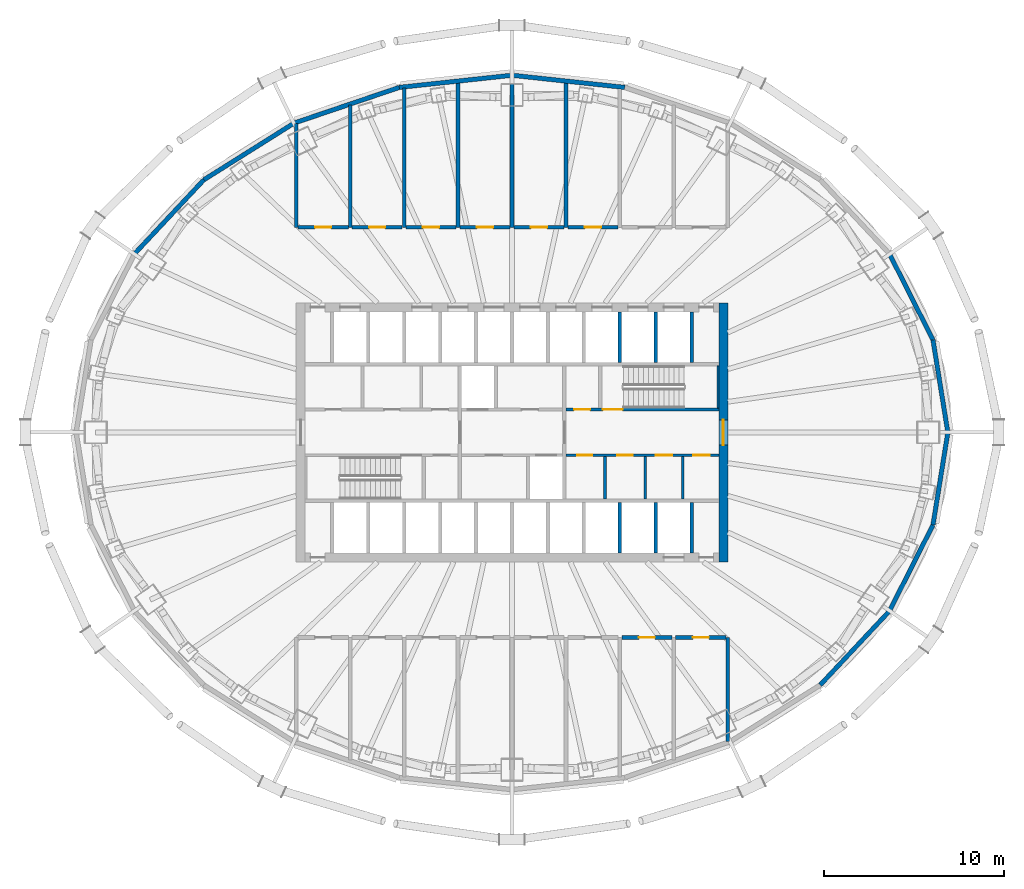
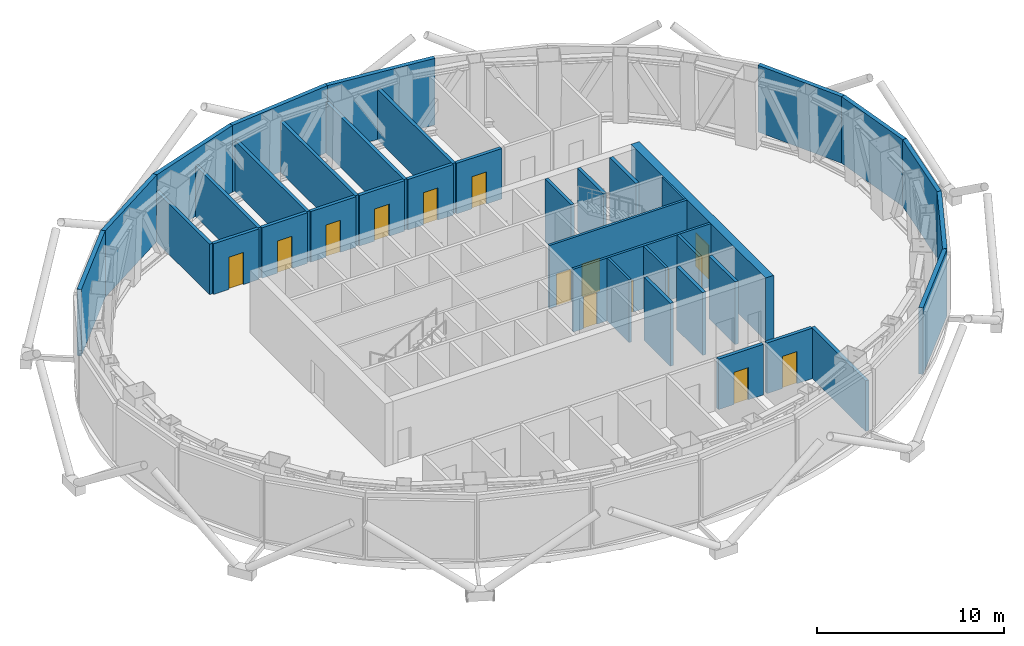
# One storey, part 7 of 16: 38 walls, 15 doors, 15 openings.
"""IFC4 building model written with IfcOpenShell, lengths in metres."""

from ifc_helpers import new_model, si_unit, direction, frame, frame_2d, origin, place, context, subcontext, project, spatial, rectangle, extrude, material, layer, layer_set, type_object, element, fill, save


model = new_model("IFC4")

# Units and contexts
model_context = context("Model", 3, precision=1e-05, world=origin(), true_north=direction((0.0, 1.0)))
body_context = subcontext(model_context, "Body", "Model", "MODEL_VIEW")
ifc_project = project(units=[si_unit("LENGTHUNIT", "METRE"), si_unit("AREAUNIT", "SQUARE_METRE"), si_unit("VOLUMEUNIT", "CUBIC_METRE"), si_unit("PLANEANGLEUNIT", "RADIAN"), si_unit("MASSUNIT", "GRAM", prefix="KILO")], contexts=[model_context])

# Site, building, storey
site_placement = place(None, origin())
site = spatial("IfcSite", under=ifc_project, at=site_placement, CompositionType="ELEMENT")
building_placement = place(site_placement, origin())
building = spatial("IfcBuilding", under=site, at=building_placement, Name="Siaravel Broadcast Tower", CompositionType="ELEMENT")
storey_placement = place(building_placement, frame((0.0, 0.0, 152.60009765625)))
storey = spatial("IfcBuildingStorey", under=building, at=storey_placement, Name="L36", CompositionType="ELEMENT", Elevation=152.60009765625)

# Walls
ifc_material_1 = material(Name="Concrete blockwork", Category="masonry")
ifc_layer_1 = layer(ifc_material_1, 0.14990234375)
ifc_layer_set_1 = layer_set([ifc_layer_1], Name="Concrete blockwork")
wall_type_1 = type_object("IfcWallType", Name="Core partition 150", PredefinedType="PARTITIONING", material=ifc_layer_set_1)
for number, where, z_axis, x_axis, name in (
    (1, (5.16796875, -3.699951171875, 0.0), (0.0, 0.0, 1.0), (0.0, 1.0, 0.0), "L36 core partition PSE0"),
    (2, (7.410888671875, -3.699951171875, 0.0), (0.0, 0.0, 1.0), (0.0, 1.0, 0.0), "L36 core partition PSE1"),
    (3, (9.492919921875, -3.699951171875, 0.0), (0.0, 0.0, 1.0), (0.0, 1.0, 0.0), "L36 core partition PSE2"),
):
    element("IfcWall", number, at=place(storey_placement, frame(where, z_axis=z_axis, x_axis=x_axis)), inside=storey, type_object=wall_type_1, Name=name, PredefinedType="PARTITIONING", context=body_context, shape_type="SweptSolid", body=[
        extrude(rectangle(XDim=2.349853515625, YDim=0.14990234375, at=frame_2d((1.1748046875, 0.0))), origin(), (0.0, 0.0, 1.0), 4.099853515625),
    ])

# Wall, opening, door
ifc_material_2 = material(Name="Concrete C60/75", Category="concrete")
ifc_layer_2 = layer(ifc_material_2, 0.5)
ifc_layer_set_2 = layer_set([ifc_layer_2], Name="Concrete C60/75")
wall_type_2 = type_object("IfcWallType", Name="Core wall 500", PredefinedType="SHEAR", material=ifc_layer_set_2)
wall_1_placement = place(storey_placement, frame((11.75, -7.199951171875, 0.0), z_axis=(0.0, 0.0, 1.0), x_axis=(0.0, 1.0, 0.0)))
wall_1 = element("IfcWall", 4, at=wall_1_placement, inside=storey, type_object=wall_type_2, Name="L36 core wall OE", PredefinedType="SHEAR", context=body_context, shape_type="SweptSolid", body=[
    extrude(rectangle(XDim=14.39990234375, YDim=0.5, at=frame_2d((7.199951171875, 0.0))), origin(), (0.0, 0.0, 1.0), 4.099853515625),
])
opening_1_placement = place(wall_1_placement, frame((6.5, 0.0, 0.0)))
opening_1 = element("IfcOpeningElement", 5, at=opening_1_placement, cuts=wall_1, Name="Opening L36-DX-E", PredefinedType="OPENING", context=body_context, shape_type="SweptSolid", body=[
    extrude(rectangle(XDim=1.39990234375, YDim=2.199951171875, at=frame_2d((0.699951171875, 1.10009765625))), frame((0.0, 0.260009765625, 0.0), z_axis=(0.0, -1.0, 0.0), x_axis=(1.0, 0.0, 0.0)), (0.0, 0.0, 1.0), 0.52001953125),
])
ifc_material_3 = material(Name="Steel", Category="steel")
door_type_1 = type_object("IfcDoorType", Name="Core exit door 1400", OperationType="DOUBLE_DOOR_SINGLE_SWING", PredefinedType="DOOR", material=ifc_material_3)
door_1_placement = place(opening_1_placement, origin())
door_1 = element("IfcDoor", 6, at=door_1_placement, inside=storey, type_object=door_type_1, Name="L36 door DX-E", OperationType="DOUBLE_DOOR_SINGLE_SWING", OverallHeight=2.199951171875, OverallWidth=1.39990234375, PredefinedType="DOOR", context=body_context, shape_type="SweptSolid", body=[
    extrude(rectangle(XDim=1.39990234375, YDim=2.199951171875, at=frame_2d((0.699951171875, 1.10009765625))), frame((0.0, 0.02490234375, 0.0), z_axis=(0.0, -1.0, 0.0), x_axis=(1.0, 0.0, 0.0)), (0.0, 0.0, 1.0), 0.050048828125),
])
fill(opening_1, door_1)

# Wall, openings, doors
ifc_material_4 = material(Name="Gypsum board partition", Category="gypsum")
ifc_layer_3 = layer(ifc_material_4, 0.14990234375)
ifc_layer_set_3 = layer_set([ifc_layer_3], Name="Gypsum board partition")
wall_type_3 = type_object("IfcWallType", Name="Corridor wall 150", PredefinedType="PARTITIONING", material=ifc_layer_set_3)
wall_2_placement = place(storey_placement, frame((3.0, -1.27490234375, 0.0), z_axis=(0.0, 0.0, 1.0), x_axis=(1.0, 0.0, 0.0)))
wall_2 = element("IfcWall", 7, at=wall_2_placement, inside=storey, type_object=wall_type_3, Name="L36 core partition CSE", PredefinedType="PARTITIONING", context=body_context, shape_type="SweptSolid", body=[
    extrude(rectangle(XDim=8.5, YDim=0.14990234375, at=frame_2d((4.25, 0.0))), origin(), (0.0, 0.0, 1.0), 4.099853515625),
])
opening_2_placement = place(wall_2_placement, frame((0.62158203125, 0.0, 0.0)))
opening_2 = element("IfcOpeningElement", 8, at=opening_2_placement, cuts=wall_2, Name="Opening L36-DSE0", PredefinedType="OPENING", context=body_context, shape_type="SweptSolid", body=[
    extrude(rectangle(XDim=0.85009765625, YDim=2.10009765625, at=frame_2d((0.425048828125, 1.050048828125))), frame((0.0, 0.0849609375, 0.0), z_axis=(0.0, -1.0, 0.0), x_axis=(1.0, 0.0, 0.0)), (0.0, 0.0, 1.0), 0.169921875),
])
opening_3_placement = place(wall_2_placement, frame((2.864501953125, 0.0, 0.0)))
opening_3 = element("IfcOpeningElement", 9, at=opening_3_placement, cuts=wall_2, Name="Opening L36-DSE1", PredefinedType="OPENING", context=body_context, shape_type="SweptSolid", body=[
    extrude(rectangle(XDim=0.85009765625, YDim=2.10009765625, at=frame_2d((0.425048828125, 1.050048828125))), frame((0.0, 0.0849609375, 0.0), z_axis=(0.0, -1.0, 0.0), x_axis=(1.0, 0.0, 0.0)), (0.0, 0.0, 1.0), 0.169921875),
])
opening_4_placement = place(wall_2_placement, frame((5.001953125, 0.0, 0.0)))
opening_4 = element("IfcOpeningElement", 10, at=opening_4_placement, cuts=wall_2, Name="Opening L36-DSE2", PredefinedType="OPENING", context=body_context, shape_type="SweptSolid", body=[
    extrude(rectangle(XDim=0.89990234375, YDim=2.10009765625, at=frame_2d((0.449951171875, 1.050048828125))), frame((0.0, 0.0849609375, 0.0), z_axis=(0.0, -1.0, 0.0), x_axis=(1.0, 0.0, 0.0)), (0.0, 0.0, 1.0), 0.169921875),
])
opening_5_placement = place(wall_2_placement, frame((7.083984375, 0.0, 0.0)))
opening_5 = element("IfcOpeningElement", 11, at=opening_5_placement, cuts=wall_2, Name="Opening L36-DSE3", PredefinedType="OPENING", context=body_context, shape_type="SweptSolid", body=[
    extrude(rectangle(XDim=0.89990234375, YDim=2.10009765625, at=frame_2d((0.449951171875, 1.050048828125))), frame((0.0, 0.0849609375, 0.0), z_axis=(0.0, -1.0, 0.0), x_axis=(1.0, 0.0, 0.0)), (0.0, 0.0, 1.0), 0.169921875),
])
ifc_material_5 = material(Name="Timber veneer", Category="wood")
door_type_2 = type_object("IfcDoorType", Name="Core room door 900", OperationType="SINGLE_SWING_LEFT", PredefinedType="DOOR", material=ifc_material_5)
door_2_placement = place(opening_4_placement, origin())
door_2 = element("IfcDoor", 12, at=door_2_placement, inside=storey, type_object=door_type_2, Name="L36 door DSE2", OperationType="SINGLE_SWING_LEFT", OverallHeight=2.10009765625, OverallWidth=0.89990234375, PredefinedType="DOOR", context=body_context, shape_type="SweptSolid", body=[
    extrude(rectangle(XDim=0.89990234375, YDim=2.10009765625, at=frame_2d((0.449951171875, 1.050048828125))), frame((0.0, 0.02490234375, 0.0), z_axis=(0.0, -1.0, 0.0), x_axis=(1.0, 0.0, 0.0)), (0.0, 0.0, 1.0), 0.050048828125),
])
fill(opening_4, door_2)
door_3_placement = place(opening_5_placement, origin())
door_3 = element("IfcDoor", 13, at=door_3_placement, inside=storey, type_object=door_type_2, Name="L36 door DSE3", OperationType="SINGLE_SWING_LEFT", OverallHeight=2.10009765625, OverallWidth=0.89990234375, PredefinedType="DOOR", context=body_context, shape_type="SweptSolid", body=[
    extrude(rectangle(XDim=0.89990234375, YDim=2.10009765625, at=frame_2d((0.449951171875, 1.050048828125))), frame((0.0, 0.02490234375, 0.0), z_axis=(0.0, -1.0, 0.0), x_axis=(1.0, 0.0, 0.0)), (0.0, 0.0, 1.0), 0.050048828125),
])
fill(opening_5, door_3)
door_type_3 = type_object("IfcDoorType", Name="Core toilet door 850", OperationType="SINGLE_SWING_LEFT", PredefinedType="DOOR", material=ifc_material_5)
door_4_placement = place(opening_2_placement, origin())
door_4 = element("IfcDoor", 14, at=door_4_placement, inside=storey, type_object=door_type_3, Name="L36 door DSE0", OperationType="SINGLE_SWING_LEFT", OverallHeight=2.10009765625, OverallWidth=0.85009765625, PredefinedType="DOOR", context=body_context, shape_type="SweptSolid", body=[
    extrude(rectangle(XDim=0.85009765625, YDim=2.10009765625, at=frame_2d((0.425048828125, 1.050048828125))), frame((0.0, 0.02490234375, 0.0), z_axis=(0.0, -1.0, 0.0), x_axis=(1.0, 0.0, 0.0)), (0.0, 0.0, 1.0), 0.050048828125),
])
fill(opening_2, door_4)
door_5_placement = place(opening_3_placement, origin())
door_5 = element("IfcDoor", 15, at=door_5_placement, inside=storey, type_object=door_type_3, Name="L36 door DSE1", OperationType="SINGLE_SWING_LEFT", OverallHeight=2.10009765625, OverallWidth=0.85009765625, PredefinedType="DOOR", context=body_context, shape_type="SweptSolid", body=[
    extrude(rectangle(XDim=0.85009765625, YDim=2.10009765625, at=frame_2d((0.425048828125, 1.050048828125))), frame((0.0, 0.02490234375, 0.0), z_axis=(0.0, -1.0, 0.0), x_axis=(1.0, 0.0, 0.0)), (0.0, 0.0, 1.0), 0.050048828125),
])
fill(opening_3, door_5)

# Walls
ifc_layer_4 = layer(ifc_material_1, 0.199951171875)
ifc_layer_set_4 = layer_set([ifc_layer_4], Name="Concrete blockwork")
wall_type_4 = type_object("IfcWallType", Name="Plant room wall 200", PredefinedType="PARTITIONING", material=ifc_layer_set_4)
wall_3_placement = place(storey_placement, frame((0.0, 11.39990234375, 0.0), z_axis=(0.0, 0.0, 1.0), x_axis=(0.0, 1.0, 0.0)))
element("IfcWall", 16, at=wall_3_placement, inside=storey, type_object=wall_type_4, Name="L36 partition 2", PredefinedType="PARTITIONING", context=body_context, shape_type="SweptSolid", body=[
    extrude(rectangle(XDim=8.408447265625, YDim=0.199951171875, at=frame_2d((4.2041015625, 0.0))), origin(), (0.0, 0.0, 1.0), 3.2998046875),
])
for number, where, z_axis, x_axis, name in (
    (17, (-3.0, 11.39990234375, 0.0), (0.0, 0.0, 1.0), (0.0, 1.0, 0.0), "L36 partition 4"),
    (18, (3.0, 11.39990234375, 0.0), (0.0, 0.0, 1.0), (0.0, 1.0, 0.0), "L36 partition 6"),
):
    element("IfcWall", number, at=place(storey_placement, frame(where, z_axis=z_axis, x_axis=x_axis)), inside=storey, type_object=wall_type_4, Name=name, PredefinedType="PARTITIONING", context=body_context, shape_type="SweptSolid", body=[
        extrude(rectangle(XDim=8.0849609375, YDim=0.199951171875, at=frame_2d((4.04248046875, 0.0))), origin(), (0.0, 0.0, 1.0), 3.2998046875),
    ])
wall_4_placement = place(storey_placement, frame((-6.0, 11.39990234375, 0.0), z_axis=(0.0, 0.0, 1.0), x_axis=(0.0, 1.0, 0.0)))
element("IfcWall", 19, at=wall_4_placement, inside=storey, type_object=wall_type_4, Name="L36 partition 8", PredefinedType="PARTITIONING", context=body_context, shape_type="SweptSolid", body=[
    extrude(rectangle(XDim=7.761474609375, YDim=0.199951171875, at=frame_2d((3.880859375, 0.0))), origin(), (0.0, 0.0, 1.0), 3.2998046875),
])
wall_5_placement = place(storey_placement, frame((-9.0, 11.39990234375, 0.0), z_axis=(0.0, 0.0, 1.0), x_axis=(0.0, 1.0, 0.0)))
element("IfcWall", 20, at=wall_5_placement, inside=storey, type_object=wall_type_4, Name="L36 partition 12", PredefinedType="PARTITIONING", context=body_context, shape_type="SweptSolid", body=[
    extrude(rectangle(XDim=6.805908203125, YDim=0.199951171875, at=frame_2d((3.40283203125, 0.0))), origin(), (0.0, 0.0, 1.0), 3.2998046875),
])
for number, where, z_axis, x_axis, name in (
    (21, (-12.0, 17.18798828125, 0.0), (0.0, 0.0, 1.0), (0.0, -1.0, 0.0), "L36 partition 16"),
    (22, (12.0, -17.18798828125, 0.0), (0.0, 0.0, 1.0), (0.0, 1.0, 0.0), "L36 partition 17"),
):
    element("IfcWall", number, at=place(storey_placement, frame(where, z_axis=z_axis, x_axis=x_axis)), inside=storey, type_object=wall_type_4, Name=name, PredefinedType="PARTITIONING", context=body_context, shape_type="SweptSolid", body=[
        extrude(rectangle(XDim=5.800048828125, YDim=0.199951171875, at=frame_2d((2.89990234375, 0.0))), origin(), (0.0, 0.0, 1.0), 3.2998046875),
    ])

# Wall, opening, door
wall_6_placement = place(storey_placement, frame((-9.10205078125, 11.39990234375, 0.0), z_axis=(0.0, 0.0, 1.0), x_axis=(-1.0, 0.0, 0.0)))
wall_6 = element("IfcWall", 23, at=wall_6_placement, inside=storey, type_object=wall_type_4, Name="L36 partition 21", PredefinedType="PARTITIONING", context=body_context, shape_type="SweptSolid", body=[
    extrude(rectangle(XDim=2.7958984375, YDim=0.199951171875, at=frame_2d((1.39794921875, 0.0))), origin(), (0.0, 0.0, 1.0), 3.2998046875),
])
opening_6_placement = place(wall_6_placement, frame((0.947998046875, 0.0, 0.0)))
opening_6 = element("IfcOpeningElement", 24, at=opening_6_placement, cuts=wall_6, Name="Opening L36-001", PredefinedType="OPENING", context=body_context, shape_type="SweptSolid", body=[
    extrude(rectangle(XDim=0.89990234375, YDim=2.10009765625, at=frame_2d((0.449951171875, 1.050048828125))), frame((0.0, 0.10986328125, 0.0), z_axis=(0.0, -1.0, 0.0), x_axis=(1.0, 0.0, 0.0)), (0.0, 0.0, 1.0), 0.219970703125),
])
door_type_4 = type_object("IfcDoorType", Name="Plant room door 900", OperationType="SINGLE_SWING_LEFT", PredefinedType="DOOR", material=ifc_material_3)
door_6_placement = place(opening_6_placement, origin())
door_6 = element("IfcDoor", 25, at=door_6_placement, inside=storey, type_object=door_type_4, Name="L36 door to Cooling tower plant room", OperationType="SINGLE_SWING_LEFT", OverallHeight=2.10009765625, OverallWidth=0.89990234375, PredefinedType="DOOR", context=body_context, shape_type="SweptSolid", body=[
    extrude(rectangle(XDim=0.89990234375, YDim=2.10009765625, at=frame_2d((0.449951171875, 1.050048828125))), frame((0.0, 0.02490234375, 0.0), z_axis=(0.0, -1.0, 0.0), x_axis=(1.0, 0.0, 0.0)), (0.0, 0.0, 1.0), 0.050048828125),
])
fill(opening_6, door_6)

wall_7_placement = place(storey_placement, frame((-6.10205078125, 11.39990234375, 0.0), z_axis=(0.0, 0.0, 1.0), x_axis=(-1.0, 0.0, 0.0)))
wall_7 = element("IfcWall", 26, at=wall_7_placement, inside=storey, type_object=wall_type_4, Name="L36 partition 23", PredefinedType="PARTITIONING", context=body_context, shape_type="SweptSolid", body=[
    extrude(rectangle(XDim=2.7958984375, YDim=0.199951171875, at=frame_2d((1.39794921875, 0.0))), origin(), (0.0, 0.0, 1.0), 3.2998046875),
])
opening_7_placement = place(wall_7_placement, frame((0.947998046875, 0.0, 0.0)))
opening_7 = element("IfcOpeningElement", 27, at=opening_7_placement, cuts=wall_7, Name="Opening L36-002", PredefinedType="OPENING", context=body_context, shape_type="SweptSolid", body=[
    extrude(rectangle(XDim=0.89990234375, YDim=2.10009765625, at=frame_2d((0.449951171875, 1.050048828125))), frame((0.0, 0.10986328125, 0.0), z_axis=(0.0, -1.0, 0.0), x_axis=(1.0, 0.0, 0.0)), (0.0, 0.0, 1.0), 0.219970703125),
])
door_7_placement = place(opening_7_placement, origin())
door_7 = element("IfcDoor", 28, at=door_7_placement, inside=storey, type_object=door_type_4, Name="L36 door to Boiler plant room", OperationType="SINGLE_SWING_RIGHT", OverallHeight=2.10009765625, OverallWidth=0.89990234375, PredefinedType="DOOR", context=body_context, shape_type="SweptSolid", body=[
    extrude(rectangle(XDim=0.89990234375, YDim=2.10009765625, at=frame_2d((0.449951171875, 1.050048828125))), frame((0.0, 0.02490234375, 0.0), z_axis=(0.0, -1.0, 0.0), x_axis=(1.0, 0.0, 0.0)), (0.0, 0.0, 1.0), 0.050048828125),
])
fill(opening_7, door_7)

wall_8_placement = place(storey_placement, frame((-3.10205078125, 11.39990234375, 0.0), z_axis=(0.0, 0.0, 1.0), x_axis=(-1.0, 0.0, 0.0)))
wall_8 = element("IfcWall", 29, at=wall_8_placement, inside=storey, type_object=wall_type_4, Name="L36 partition 25", PredefinedType="PARTITIONING", context=body_context, shape_type="SweptSolid", body=[
    extrude(rectangle(XDim=2.7958984375, YDim=0.199951171875, at=frame_2d((1.39794921875, 0.0))), origin(), (0.0, 0.0, 1.0), 3.2998046875),
])
opening_8_placement = place(wall_8_placement, frame((0.947998046875, 0.0, 0.0)))
opening_8 = element("IfcOpeningElement", 30, at=opening_8_placement, cuts=wall_8, Name="Opening L36-003", PredefinedType="OPENING", context=body_context, shape_type="SweptSolid", body=[
    extrude(rectangle(XDim=0.89990234375, YDim=2.10009765625, at=frame_2d((0.449951171875, 1.050048828125))), frame((0.0, 0.10986328125, 0.0), z_axis=(0.0, -1.0, 0.0), x_axis=(1.0, 0.0, 0.0)), (0.0, 0.0, 1.0), 0.219970703125),
])
door_8_placement = place(opening_8_placement, origin())
door_8 = element("IfcDoor", 31, at=door_8_placement, inside=storey, type_object=door_type_4, Name="L36 door to Mechanical plant room", OperationType="SINGLE_SWING_LEFT", OverallHeight=2.10009765625, OverallWidth=0.89990234375, PredefinedType="DOOR", context=body_context, shape_type="SweptSolid", body=[
    extrude(rectangle(XDim=0.89990234375, YDim=2.10009765625, at=frame_2d((0.449951171875, 1.050048828125))), frame((0.0, 0.02490234375, 0.0), z_axis=(0.0, -1.0, 0.0), x_axis=(1.0, 0.0, 0.0)), (0.0, 0.0, 1.0), 0.050048828125),
])
fill(opening_8, door_8)

wall_9_placement = place(storey_placement, frame((-0.10205078125, 11.39990234375, 0.0), z_axis=(0.0, 0.0, 1.0), x_axis=(-1.0, 0.0, 0.0)))
wall_9 = element("IfcWall", 32, at=wall_9_placement, inside=storey, type_object=wall_type_4, Name="L36 partition 27", PredefinedType="PARTITIONING", context=body_context, shape_type="SweptSolid", body=[
    extrude(rectangle(XDim=2.7958984375, YDim=0.199951171875, at=frame_2d((1.39794921875, 0.0))), origin(), (0.0, 0.0, 1.0), 3.2998046875),
])
opening_9_placement = place(wall_9_placement, frame((0.947998046875, 0.0, 0.0)))
opening_9 = element("IfcOpeningElement", 33, at=opening_9_placement, cuts=wall_9, Name="Opening L36-004", PredefinedType="OPENING", context=body_context, shape_type="SweptSolid", body=[
    extrude(rectangle(XDim=0.89990234375, YDim=2.10009765625, at=frame_2d((0.449951171875, 1.050048828125))), frame((0.0, 0.10986328125, 0.0), z_axis=(0.0, -1.0, 0.0), x_axis=(1.0, 0.0, 0.0)), (0.0, 0.0, 1.0), 0.219970703125),
])
door_9_placement = place(opening_9_placement, origin())
door_9 = element("IfcDoor", 34, at=door_9_placement, inside=storey, type_object=door_type_4, Name="L36 door to Switch room", OperationType="SINGLE_SWING_RIGHT", OverallHeight=2.10009765625, OverallWidth=0.89990234375, PredefinedType="DOOR", context=body_context, shape_type="SweptSolid", body=[
    extrude(rectangle(XDim=0.89990234375, YDim=2.10009765625, at=frame_2d((0.449951171875, 1.050048828125))), frame((0.0, 0.02490234375, 0.0), z_axis=(0.0, -1.0, 0.0), x_axis=(1.0, 0.0, 0.0)), (0.0, 0.0, 1.0), 0.050048828125),
])
fill(opening_9, door_9)

wall_10_placement = place(storey_placement, frame((2.89794921875, 11.39990234375, 0.0), z_axis=(0.0, 0.0, 1.0), x_axis=(-1.0, 0.0, 0.0)))
wall_10 = element("IfcWall", 35, at=wall_10_placement, inside=storey, type_object=wall_type_4, Name="L36 partition 29", PredefinedType="PARTITIONING", context=body_context, shape_type="SweptSolid", body=[
    extrude(rectangle(XDim=2.7958984375, YDim=0.199951171875, at=frame_2d((1.39794921875, 0.0))), origin(), (0.0, 0.0, 1.0), 3.2998046875),
])
opening_10_placement = place(wall_10_placement, frame((0.947998046875, 0.0, 0.0)))
opening_10 = element("IfcOpeningElement", 36, at=opening_10_placement, cuts=wall_10, Name="Opening L36-005", PredefinedType="OPENING", context=body_context, shape_type="SweptSolid", body=[
    extrude(rectangle(XDim=0.89990234375, YDim=2.10009765625, at=frame_2d((0.449951171875, 1.050048828125))), frame((0.0, 0.10986328125, 0.0), z_axis=(0.0, -1.0, 0.0), x_axis=(1.0, 0.0, 0.0)), (0.0, 0.0, 1.0), 0.219970703125),
])
door_10_placement = place(opening_10_placement, origin())
door_10 = element("IfcDoor", 37, at=door_10_placement, inside=storey, type_object=door_type_4, Name="L36 door to Transformer room", OperationType="SINGLE_SWING_LEFT", OverallHeight=2.10009765625, OverallWidth=0.89990234375, PredefinedType="DOOR", context=body_context, shape_type="SweptSolid", body=[
    extrude(rectangle(XDim=0.89990234375, YDim=2.10009765625, at=frame_2d((0.449951171875, 1.050048828125))), frame((0.0, 0.02490234375, 0.0), z_axis=(0.0, -1.0, 0.0), x_axis=(1.0, 0.0, 0.0)), (0.0, 0.0, 1.0), 0.050048828125),
])
fill(opening_10, door_10)

wall_11_placement = place(storey_placement, frame((6.10205078125, -11.39990234375, 0.0), z_axis=(0.0, 0.0, 1.0), x_axis=(1.0, 0.0, 0.0)))
wall_11 = element("IfcWall", 38, at=wall_11_placement, inside=storey, type_object=wall_type_4, Name="L36 partition 30", PredefinedType="PARTITIONING", context=body_context, shape_type="SweptSolid", body=[
    extrude(rectangle(XDim=2.7958984375, YDim=0.199951171875, at=frame_2d((1.39794921875, 0.0))), origin(), (0.0, 0.0, 1.0), 3.2998046875),
])
opening_11_placement = place(wall_11_placement, frame((0.947998046875, 0.0, 0.0)))
opening_11 = element("IfcOpeningElement", 39, at=opening_11_placement, cuts=wall_11, Name="Opening L36-015", PredefinedType="OPENING", context=body_context, shape_type="SweptSolid", body=[
    extrude(rectangle(XDim=0.89990234375, YDim=2.10009765625, at=frame_2d((0.449951171875, 1.050048828125))), frame((0.0, 0.10986328125, 0.0), z_axis=(0.0, -1.0, 0.0), x_axis=(1.0, 0.0, 0.0)), (0.0, 0.0, 1.0), 0.219970703125),
])
door_11_placement = place(opening_11_placement, origin())
door_11 = element("IfcDoor", 40, at=door_11_placement, inside=storey, type_object=door_type_4, Name="L36 door to Generator plant room", OperationType="SINGLE_SWING_LEFT", OverallHeight=2.10009765625, OverallWidth=0.89990234375, PredefinedType="DOOR", context=body_context, shape_type="SweptSolid", body=[
    extrude(rectangle(XDim=0.89990234375, YDim=2.10009765625, at=frame_2d((0.449951171875, 1.050048828125))), frame((0.0, 0.02490234375, 0.0), z_axis=(0.0, -1.0, 0.0), x_axis=(1.0, 0.0, 0.0)), (0.0, 0.0, 1.0), 0.050048828125),
])
fill(opening_11, door_11)

wall_12_placement = place(storey_placement, frame((5.89794921875, 11.39990234375, 0.0), z_axis=(0.0, 0.0, 1.0), x_axis=(-1.0, 0.0, 0.0)))
wall_12 = element("IfcWall", 41, at=wall_12_placement, inside=storey, type_object=wall_type_4, Name="L36 partition 31", PredefinedType="PARTITIONING", context=body_context, shape_type="SweptSolid", body=[
    extrude(rectangle(XDim=2.7958984375, YDim=0.199951171875, at=frame_2d((1.39794921875, 0.0))), origin(), (0.0, 0.0, 1.0), 3.2998046875),
])
opening_12_placement = place(wall_12_placement, frame((0.947998046875, 0.0, 0.0)))
opening_12 = element("IfcOpeningElement", 42, at=opening_12_placement, cuts=wall_12, Name="Opening L36-006", PredefinedType="OPENING", context=body_context, shape_type="SweptSolid", body=[
    extrude(rectangle(XDim=0.89990234375, YDim=2.10009765625, at=frame_2d((0.449951171875, 1.050048828125))), frame((0.0, 0.10986328125, 0.0), z_axis=(0.0, -1.0, 0.0), x_axis=(1.0, 0.0, 0.0)), (0.0, 0.0, 1.0), 0.219970703125),
])
door_12_placement = place(opening_12_placement, origin())
door_12 = element("IfcDoor", 43, at=door_12_placement, inside=storey, type_object=door_type_4, Name="L36 door to Air handling plant room", OperationType="SINGLE_SWING_RIGHT", OverallHeight=2.10009765625, OverallWidth=0.89990234375, PredefinedType="DOOR", context=body_context, shape_type="SweptSolid", body=[
    extrude(rectangle(XDim=0.89990234375, YDim=2.10009765625, at=frame_2d((0.449951171875, 1.050048828125))), frame((0.0, 0.02490234375, 0.0), z_axis=(0.0, -1.0, 0.0), x_axis=(1.0, 0.0, 0.0)), (0.0, 0.0, 1.0), 0.050048828125),
])
fill(opening_12, door_12)

wall_13_placement = place(storey_placement, frame((9.10205078125, -11.39990234375, 0.0), z_axis=(0.0, 0.0, 1.0), x_axis=(1.0, 0.0, 0.0)))
wall_13 = element("IfcWall", 44, at=wall_13_placement, inside=storey, type_object=wall_type_4, Name="L36 partition 32", PredefinedType="PARTITIONING", context=body_context, shape_type="SweptSolid", body=[
    extrude(rectangle(XDim=2.7958984375, YDim=0.199951171875, at=frame_2d((1.39794921875, 0.0))), origin(), (0.0, 0.0, 1.0), 3.2998046875),
])
opening_13_placement = place(wall_13_placement, frame((0.947998046875, 0.0, 0.0)))
opening_13 = element("IfcOpeningElement", 45, at=opening_13_placement, cuts=wall_13, Name="Opening L36-016", PredefinedType="OPENING", context=body_context, shape_type="SweptSolid", body=[
    extrude(rectangle(XDim=0.89990234375, YDim=2.10009765625, at=frame_2d((0.449951171875, 1.050048828125))), frame((0.0, 0.10986328125, 0.0), z_axis=(0.0, -1.0, 0.0), x_axis=(1.0, 0.0, 0.0)), (0.0, 0.0, 1.0), 0.219970703125),
])
door_13_placement = place(opening_13_placement, origin())
door_13 = element("IfcDoor", 46, at=door_13_placement, inside=storey, type_object=door_type_4, Name="L36 door to Mechanical plant room", OperationType="SINGLE_SWING_RIGHT", OverallHeight=2.10009765625, OverallWidth=0.89990234375, PredefinedType="DOOR", context=body_context, shape_type="SweptSolid", body=[
    extrude(rectangle(XDim=0.89990234375, YDim=2.10009765625, at=frame_2d((0.449951171875, 1.050048828125))), frame((0.0, 0.02490234375, 0.0), z_axis=(0.0, -1.0, 0.0), x_axis=(1.0, 0.0, 0.0)), (0.0, 0.0, 1.0), 0.050048828125),
])
fill(opening_13, door_13)

# Walls
ifc_material_6 = material(Name="Concrete C40/50", Category="concrete")
ifc_layer_5 = layer(ifc_material_6, 0.25)
ifc_layer_set_5 = layer_set([ifc_layer_5], Name="Concrete C40/50")
wall_type_5 = type_object("IfcWallType", Name="Plant storey wall", PredefinedType="STANDARD", material=ifc_layer_set_5)
wall_14_placement = place(storey_placement, frame((24.23291015625, 0.0, 0.0), z_axis=(0.0, 0.0, 1.0), x_axis=(-0.158718078, 0.987323945, 0.0)))
element("IfcWall", 47, at=wall_14_placement, inside=storey, type_object=wall_type_5, Name="L36 plant storey wall 01", PredefinedType="STANDARD", context=body_context, shape_type="SweptSolid", body=[
    extrude(rectangle(XDim=5.208251953125, YDim=0.25, at=frame_2d((2.60400390625, 0.0))), origin(), (0.0, 0.0, 1.0), 4.349853515625),
])
wall_15_placement = place(storey_placement, frame((23.40625, 5.142333984375, 0.0), z_axis=(0.0, 0.0, 1.0), x_axis=(-0.451229303, 0.892408044, 0.0)))
element("IfcWall", 48, at=wall_15_placement, inside=storey, type_object=wall_type_5, Name="L36 plant storey wall 02", PredefinedType="STANDARD", context=body_context, shape_type="SweptSolid", body=[
    extrude(rectangle(XDim=5.368408203125, YDim=0.25, at=frame_2d((2.68408203125, 0.0))), origin(), (0.0, 0.0, 1.0), 4.349853515625),
])
for number, where, z_axis, x_axis, name in (
    (49, (6.269775390625, 19.182373046875, 0.0), (0.0, 0.0, 1.0), (-0.994237309, 0.107201554, 0.0), "L36 plant storey wall 06"),
    (50, (0.0, 19.8583984375, 0.0), (0.0, 0.0, 1.0), (-0.994237309, -0.107201554, 0.0), "L36 plant storey wall 07"),
):
    element("IfcWall", number, at=place(storey_placement, frame(where, z_axis=z_axis, x_axis=x_axis)), inside=storey, type_object=wall_type_5, Name=name, PredefinedType="STANDARD", context=body_context, shape_type="SweptSolid", body=[
        extrude(rectangle(XDim=6.30615234375, YDim=0.25, at=frame_2d((3.153076171875, 0.0))), origin(), (0.0, 0.0, 1.0), 4.349853515625),
    ])
wall_16_placement = place(storey_placement, frame((-6.269775390625, 19.182373046875, 0.0), z_axis=(0.0, 0.0, 1.0), x_axis=(-0.946968166, -0.321327392, 0.0)))
element("IfcWall", 51, at=wall_16_placement, inside=storey, type_object=wall_type_5, Name="L36 plant storey wall 08", PredefinedType="STANDARD", context=body_context, shape_type="SweptSolid", body=[
    extrude(rectangle(XDim=6.170166015625, YDim=0.25, at=frame_2d((3.0849609375, 0.0))), origin(), (0.0, 0.0, 1.0), 4.349853515625),
])
wall_17_placement = place(storey_placement, frame((-12.11279296875, 17.19970703125, 0.0), z_axis=(0.0, 0.0, 1.0), x_axis=(-0.846665178, -0.532125996, 0.0)))
element("IfcWall", 52, at=wall_17_placement, inside=storey, type_object=wall_type_5, Name="L36 plant storey wall 09", PredefinedType="STANDARD", context=body_context, shape_type="SweptSolid", body=[
    extrude(rectangle(XDim=5.927734375, YDim=0.25, at=frame_2d((2.9638671875, 0.0))), origin(), (0.0, 0.0, 1.0), 4.349853515625),
])
for number, where, z_axis, x_axis, name in (
    (53, (-17.131591796875, 14.04541015625, 0.0), (0.0, 0.0, 1.0), (-0.683658596, -0.729801976, 0.0), "L36 plant storey wall 10"),
    (54, (17.131591796875, -14.04541015625, 0.0), (0.0, 0.0, 1.0), (0.683658596, 0.729801976, 0.0), "L36 plant storey wall 22"),
):
    element("IfcWall", number, at=place(storey_placement, frame(where, z_axis=z_axis, x_axis=x_axis)), inside=storey, type_object=wall_type_5, Name=name, PredefinedType="STANDARD", context=body_context, shape_type="SweptSolid", body=[
        extrude(rectangle(XDim=5.634765625, YDim=0.25, at=frame_2d((2.8173828125, 0.0))), origin(), (0.0, 0.0, 1.0), 4.349853515625),
    ])
wall_18_placement = place(storey_placement, frame((20.98388671875, -9.93310546875, 0.0), z_axis=(0.0, 0.0, 1.0), x_axis=(0.451229303, 0.892408044, 0.0)))
element("IfcWall", 55, at=wall_18_placement, inside=storey, type_object=wall_type_5, Name="L36 plant storey wall 23", PredefinedType="STANDARD", context=body_context, shape_type="SweptSolid", body=[
    extrude(rectangle(XDim=5.368408203125, YDim=0.25, at=frame_2d((2.68408203125, 0.0))), origin(), (0.0, 0.0, 1.0), 4.349853515625),
])
wall_19_placement = place(storey_placement, frame((23.40625, -5.142333984375, 0.0), z_axis=(0.0, 0.0, 1.0), x_axis=(0.158718078, 0.987323945, 0.0)))
element("IfcWall", 56, at=wall_19_placement, inside=storey, type_object=wall_type_5, Name="L36 plant storey wall 24", PredefinedType="STANDARD", context=body_context, shape_type="SweptSolid", body=[
    extrude(rectangle(XDim=5.208251953125, YDim=0.25, at=frame_2d((2.60400390625, 0.0))), origin(), (0.0, 0.0, 1.0), 4.349853515625),
])
ifc_layer_6 = layer(ifc_material_2, 0.10009765625)
ifc_layer_set_6 = layer_set([ifc_layer_6], Name="Concrete C60/75")
wall_type_6 = type_object("IfcWallType", Name="Shaft wall 100", PredefinedType="SHEAR", material=ifc_layer_set_6)
wall_20_placement = place(storey_placement, frame((11.449951171875, 1.35009765625, 0.0), z_axis=(0.0, 0.0, 1.0), x_axis=(0.0, 1.0, 0.0)))
element("IfcWall", 57, at=wall_20_placement, inside=storey, type_object=wall_type_6, Name="L36 core wall ST2E", PredefinedType="SHEAR", context=body_context, shape_type="SweptSolid", body=[
    extrude(rectangle(XDim=2.349853515625, YDim=0.10009765625, at=frame_2d((1.1748046875, 0.0))), origin(), (0.0, 0.0, 1.0), 4.099853515625),
])

# Wall, openings, doors
ifc_layer_7 = layer(ifc_material_2, 0.14990234375)
ifc_layer_set_7 = layer_set([ifc_layer_7], Name="Concrete C60/75")
wall_type_7 = type_object("IfcWallType", Name="Shaft wall 150", PredefinedType="SHEAR", material=ifc_layer_set_7)
wall_21_placement = place(storey_placement, frame((3.0, 1.27490234375, 0.0), z_axis=(0.0, 0.0, 1.0), x_axis=(1.0, 0.0, 0.0)))
wall_21 = element("IfcWall", 58, at=wall_21_placement, inside=storey, type_object=wall_type_7, Name="L36 core wall CNE", PredefinedType="SHEAR", context=body_context, shape_type="SweptSolid", body=[
    extrude(rectangle(XDim=8.5, YDim=0.14990234375, at=frame_2d((4.25, 0.0))), origin(), (0.0, 0.0, 1.0), 4.099853515625),
])
opening_14_placement = place(wall_21_placement, frame((2.050048828125, 0.0, 0.0)))
opening_14 = element("IfcOpeningElement", 59, at=opening_14_placement, cuts=wall_21, Name="Opening L36-DS-2", PredefinedType="OPENING", context=body_context, shape_type="SweptSolid", body=[
    extrude(rectangle(XDim=1.10009765625, YDim=2.14990234375, at=frame_2d((0.550048828125, 1.074951171875))), frame((0.0, 0.0849609375, 0.0), z_axis=(0.0, -1.0, 0.0), x_axis=(1.0, 0.0, 0.0)), (0.0, 0.0, 1.0), 0.169921875),
])
opening_15_placement = place(wall_21_placement, frame((0.449951171875, 0.0, 0.0)))
opening_15 = element("IfcOpeningElement", 60, at=opening_15_placement, cuts=wall_21, Name="Opening L36-DNE0", PredefinedType="OPENING", context=body_context, shape_type="SweptSolid", body=[
    extrude(rectangle(XDim=0.89990234375, YDim=2.10009765625, at=frame_2d((0.449951171875, 1.050048828125))), frame((0.0, 0.0849609375, 0.0), z_axis=(0.0, -1.0, 0.0), x_axis=(1.0, 0.0, 0.0)), (0.0, 0.0, 1.0), 0.169921875),
])
door_14_placement = place(opening_15_placement, origin())
door_14 = element("IfcDoor", 61, at=door_14_placement, inside=storey, type_object=door_type_2, Name="L36 door DNE0", OperationType="SINGLE_SWING_LEFT", OverallHeight=2.10009765625, OverallWidth=0.89990234375, PredefinedType="DOOR", context=body_context, shape_type="SweptSolid", body=[
    extrude(rectangle(XDim=0.89990234375, YDim=2.10009765625, at=frame_2d((0.449951171875, 1.050048828125))), frame((0.0, 0.02490234375, 0.0), z_axis=(0.0, -1.0, 0.0), x_axis=(1.0, 0.0, 0.0)), (0.0, 0.0, 1.0), 0.050048828125),
])
fill(opening_15, door_14)
door_type_5 = type_object("IfcDoorType", Name="Stair door 1100", OperationType="SINGLE_SWING_LEFT", PredefinedType="DOOR", material=ifc_material_3)
door_15_placement = place(opening_14_placement, origin())
door_15 = element("IfcDoor", 62, at=door_15_placement, inside=storey, type_object=door_type_5, Name="L36 door DS-2", OperationType="SINGLE_SWING_LEFT", OverallHeight=2.14990234375, OverallWidth=1.10009765625, PredefinedType="DOOR", context=body_context, shape_type="SweptSolid", body=[
    extrude(rectangle(XDim=1.10009765625, YDim=2.14990234375, at=frame_2d((0.550048828125, 1.074951171875))), frame((0.0, 0.02490234375, 0.0), z_axis=(0.0, -1.0, 0.0), x_axis=(1.0, 0.0, 0.0)), (0.0, 0.0, 1.0), 0.050048828125),
])
fill(opening_14, door_15)

# Walls
ifc_layer_8 = layer(ifc_material_2, 0.199951171875)
ifc_layer_set_8 = layer_set([ifc_layer_8], Name="Concrete C60/75")
wall_type_8 = type_object("IfcWallType", Name="Shaft wall 200", PredefinedType="SHEAR", material=ifc_layer_set_8)
for number, where, z_axis, x_axis, name in (
    (63, (6.0, -6.699951171875, 0.0), (0.0, 0.0, 1.0), (0.0, 1.0, 0.0), "L36 core wall SWS8"),
    (64, (8.0, -6.699951171875, 0.0), (0.0, 0.0, 1.0), (0.0, 1.0, 0.0), "L36 core wall SWS9"),
    (65, (10.0, -6.699951171875, 0.0), (0.0, 0.0, 1.0), (0.0, 1.0, 0.0), "L36 core wall SWS10"),
    (66, (6.0, 3.89990234375, 0.0), (0.0, 0.0, 1.0), (0.0, 1.0, 0.0), "L36 core wall SWN8"),
    (67, (8.0, 3.89990234375, 0.0), (0.0, 0.0, 1.0), (0.0, 1.0, 0.0), "L36 core wall SWN9"),
    (68, (10.0, 3.89990234375, 0.0), (0.0, 0.0, 1.0), (0.0, 1.0, 0.0), "L36 core wall SWN10"),
):
    element("IfcWall", number, at=place(storey_placement, frame(where, z_axis=z_axis, x_axis=x_axis)), inside=storey, type_object=wall_type_8, Name=name, PredefinedType="SHEAR", context=body_context, shape_type="SweptSolid", body=[
        extrude(rectangle(XDim=2.800048828125, YDim=0.199951171875, at=frame_2d((1.39990234375, 0.0))), origin(), (0.0, 0.0, 1.0), 4.099853515625),
    ])

save(model, "model.ifc")
